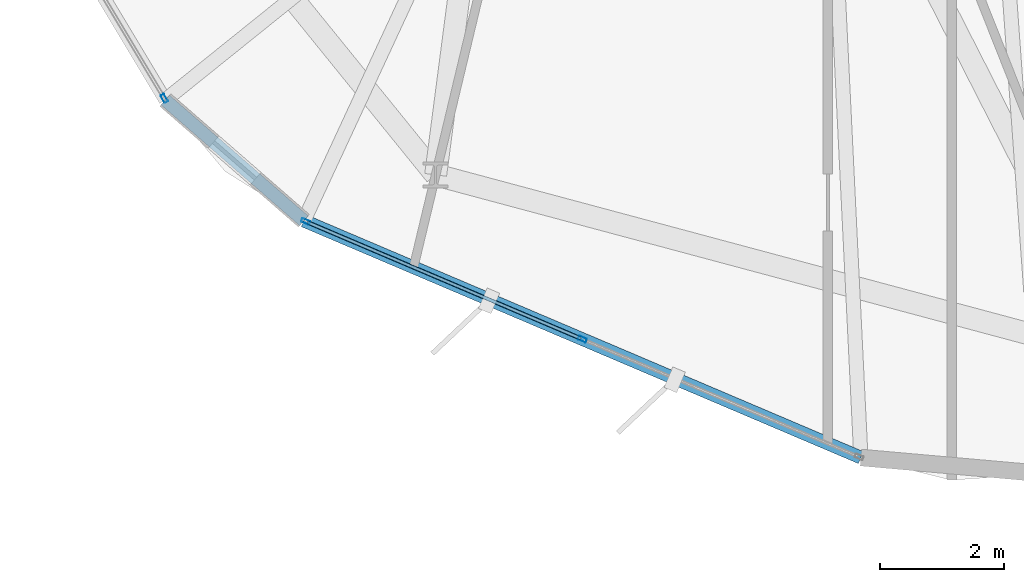
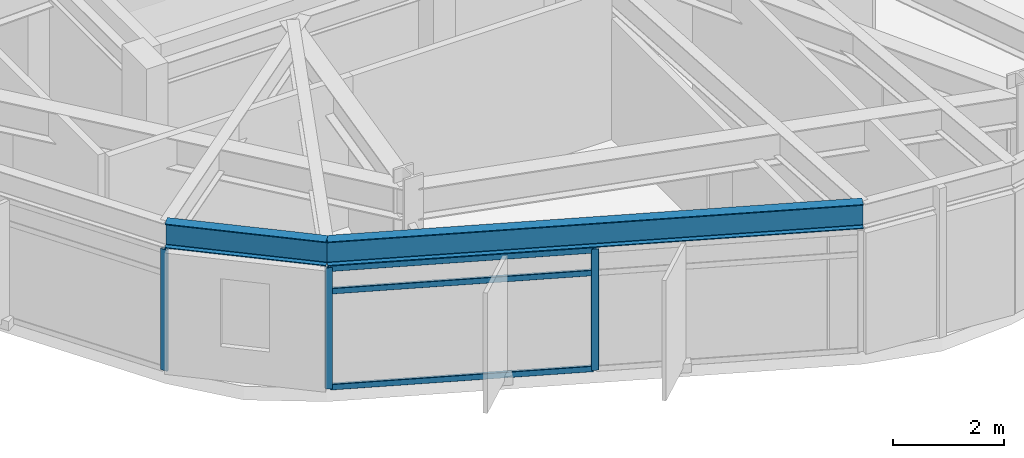
# One storey, part 2 of 27: 6 members, 2 beams, 2 elements without a shape of their own.
"""IFC4 building model written with IfcOpenShell, lengths in metres."""

import ifcopenshell
import ifcopenshell.guid

model = None  # the IFC model being written
_history = None  # IfcOwnerHistory: only IFC2X3 demands one
_inside = {}  # id of a spatial element -> (the spatial element, [elements in it])
_under = {}  # id of a project, library or spatial element -> (it, [spatial elements below it])
_declared = {}  # id of a project -> (the project, [libraries it declares])
_typed = {}  # id of a type object -> (the type object, [elements of that type])
_made_of = {}  # id of a material, layer set ... -> (it, [elements and type objects made of it])


def new_model(schema):
    """Start an empty IFC model of exactly this schema.

    Asked for "IFC4X3", IfcOpenShell would pick the latest addendum, in which some entities
    have other attributes; the version numbers below select the first issue.
    IFC2X3 requires an IfcOwnerHistory on every rooted entity: one is made here for all.
    """
    global model, _history
    if schema == "IFC4X3":
        model = ifcopenshell.file(schema_version=(4, 3, 0, 0))
    else:
        model = ifcopenshell.file(schema=schema)
    _inside.clear()
    _under.clear()
    _declared.clear()
    _typed.clear()
    _made_of.clear()
    _history = None
    if model.schema == "IFC2X3":
        org = make("IfcOrganization", Name="unknown")
        user = make(
            "IfcPersonAndOrganization",
            ThePerson=make("IfcPerson", FamilyName="unknown"),
            TheOrganization=org,
        )
        app = make(
            "IfcApplication",
            ApplicationDeveloper=org,
            Version="unknown",
            ApplicationFullName="unknown",
            ApplicationIdentifier="unknown",
        )
        _history = make(
            "IfcOwnerHistory",
            OwningUser=user,
            OwningApplication=app,
            ChangeAction="ADDED",
            CreationDate=0,
        )
    return model


def make(cls, **values):
    """One entity of the class cls with the attributes given. An attribute that is None is left unset."""
    return model.create_entity(
        cls, **{name: value for name, value in values.items() if value is not None}
    )


def rooted(cls, **values):
    """An entity with a GlobalId (a new one), such as an element, a storey or a relation."""
    return make(cls, GlobalId=ifcopenshell.guid.new(), OwnerHistory=_history, **values)


def si_unit(unit_type, name, prefix=None):
    """IfcSIUnit, for example si_unit("LENGTHUNIT", "METRE", prefix="MILLI")."""
    return make("IfcSIUnit", UnitType=unit_type, Prefix=prefix, Name=name)


def assignment(units):
    """IfcUnitAssignment: the units of a project."""
    return None if units is None else make("IfcUnitAssignment", Units=units)


def point(xyz):
    """IfcCartesianPoint."""
    return None if xyz is None else make("IfcCartesianPoint", Coordinates=xyz)


def direction(xyz):
    """IfcDirection."""
    return None if xyz is None else make("IfcDirection", DirectionRatios=xyz)


def frame(location, z_axis=None, x_axis=None):
    """IfcAxis2Placement3D, a coordinate frame: its origin and axes. An axis left out is left unset."""
    return make(
        "IfcAxis2Placement3D",
        Location=point(location),
        Axis=direction(z_axis),
        RefDirection=direction(x_axis),
    )


def frame_2d(location, x_axis=None):
    """IfcAxis2Placement2D, a coordinate frame in the plane: its origin and x axis."""
    return make(
        "IfcAxis2Placement2D", Location=point(location), RefDirection=direction(x_axis)
    )


def origin():
    """The frame at (0, 0, 0) with its axes left unset."""
    return frame((0.0, 0.0, 0.0))


def origin_2d():
    """The frame at (0, 0) in the plane with its x axis left unset."""
    return frame_2d((0.0, 0.0))


def place(relative_to, where):
    """IfcLocalPlacement: puts the frame where relative to a parent placement (None: the world)."""
    return make(
        "IfcLocalPlacement", PlacementRelTo=relative_to, RelativePlacement=where
    )


def context(
    kind, dimensions, precision=None, world=None, true_north=None, identifier=None
):
    """IfcGeometricRepresentationContext, for example the 3D "Model" context."""
    return make(
        "IfcGeometricRepresentationContext",
        ContextIdentifier=identifier,
        ContextType=kind,
        CoordinateSpaceDimension=dimensions,
        Precision=precision,
        WorldCoordinateSystem=world,
        TrueNorth=true_north,
    )


def subcontext(parent, identifier, kind, view, scale=None):
    """IfcGeometricRepresentationSubContext, for example "Body" below "Model"."""
    return make(
        "IfcGeometricRepresentationSubContext",
        ContextIdentifier=identifier,
        ContextType=kind,
        ParentContext=parent,
        TargetScale=scale,
        TargetView=view,
    )


def project(units=None, contexts=None):
    """IfcProject with its units and contexts."""
    return rooted(
        "IfcProject",
        Name="project",
        RepresentationContexts=contexts,
        UnitsInContext=assignment(units),
    )


def spatial(cls, under=None, at=None, **own):
    """A site, building, storey or space (cls), placed at a placement, below another one or the project."""
    s = rooted(cls, ObjectPlacement=at, **own)
    if under is not None:
        _under.setdefault(under.id(), (under, []))[1].append(s)
    return s


def profile(cls, at=None, kind="AREA", **sizes):
    """A parametric profile (cls). Its sizes go by their IFC names, for example OverallWidth=200.0."""
    return make(cls, ProfileType=kind, Position=at, **sizes)


def hollow_rectangle(**sizes):
    """IfcRectangleHollowProfileDef."""
    return profile("IfcRectangleHollowProfileDef", **sizes)


def i_section(**sizes):
    """IfcIShapeProfileDef."""
    return profile("IfcIShapeProfileDef", **sizes)


def extrude(swept, where, along, depth):
    """IfcExtrudedAreaSolid: the profile swept, set in the frame where, extruded along a direction by depth."""
    return make(
        "IfcExtrudedAreaSolid",
        SweptArea=swept,
        Position=where,
        ExtrudedDirection=direction(along),
        Depth=depth,
    )


def shape(context_of_items, identifier, shape_type, items):
    """IfcShapeRepresentation: the items that make up one representation, for example the "Body"."""
    return make(
        "IfcShapeRepresentation",
        ContextOfItems=context_of_items,
        RepresentationIdentifier=identifier,
        RepresentationType=shape_type,
        Items=items,
    )


def material(Name=None, Category=None):
    """IfcMaterial."""
    return make("IfcMaterial", Name=Name, Category=Category)


def layer(
    of_material, thickness, ventilated=None, Name=None, Category=None, Priority=None
):
    """IfcMaterialLayer: one layer of a wall or slab, of a material (None: an air gap)."""
    return make(
        "IfcMaterialLayer",
        Material=of_material,
        LayerThickness=thickness,
        IsVentilated=ventilated,
        Name=Name,
        Category=Category,
        Priority=Priority,
    )


def layer_set(layers, Name=None):
    """IfcMaterialLayerSet."""
    return make("IfcMaterialLayerSet", MaterialLayers=layers, LayerSetName=Name)


def material_profile(
    of_material, cross_section, Name=None, Category=None, Priority=None
):
    """IfcMaterialProfile: a cross section and its material."""
    return make(
        "IfcMaterialProfile",
        Name=Name,
        Material=of_material,
        Profile=cross_section,
        Priority=Priority,
        Category=Category,
    )


def profile_set(profiles, Name=None, composite=None):
    """IfcMaterialProfileSet."""
    return make(
        "IfcMaterialProfileSet",
        Name=Name,
        MaterialProfiles=profiles,
        CompositeProfile=composite,
    )


def made_of(thing, what):
    """Note that an element or type object is made of a material, layer set ...; save() writes the relation."""
    if what is not None:
        _made_of.setdefault(what.id(), (what, []))[1].append(thing)
    return thing


def type_object(cls, material=None, **own):
    """A type object (cls), such as IfcWallType, which elements share."""
    return made_of(rooted(cls, **own), material)


def element(
    cls,
    number,
    at=None,
    inside=None,
    cuts=None,
    type_object=None,
    material=None,
    context=None,
    identifier="Body",
    shape_type=None,
    held_by="IfcProductDefinitionShape",
    body=None,
    shapes=None,
    **own,
):
    """One element of the class cls, such as IfcWall. Its Tag is "e" and its number.

    at: its placement. inside: the storey or other place that contains it. cuts: it is an
    opening in that element (IfcRelVoidsElement). A single representation is given by context,
    identifier, shape_type and body (its items); several are given by shapes. held_by: the class
    of the entity that holds the representations. save() writes the other relations.
    """
    e = rooted(cls, Tag="e%d" % number, ObjectPlacement=at, **own)
    if body is not None:
        shapes = [shape(context, identifier, shape_type, body)]
    if shapes is not None:
        e.Representation = make(held_by, Representations=shapes)
    if inside is not None:
        _inside.setdefault(inside.id(), (inside, []))[1].append(e)
    if cuts is not None:
        rooted(
            "IfcRelVoidsElement", RelatingBuildingElement=cuts, RelatedOpeningElement=e
        )
    if type_object is not None:
        _typed.setdefault(type_object.id(), (type_object, []))[1].append(e)
    return made_of(e, material)


def aggregate(whole, parts):
    """IfcRelAggregates: a whole, such as a stair, and the parts it consists of."""
    return rooted("IfcRelAggregates", RelatingObject=whole, RelatedObjects=parts)


def save(model, path):
    """Write the relations noted so far, then the file.

    IfcRelAggregates (storeys below a building ...), IfcRelContainedInSpatialStructure (elements
    in a storey), IfcRelDefinesByType, IfcRelAssociatesMaterial and IfcRelDeclares: one each for
    every whole, place, type object, material and project.
    """
    for whole, parts in _under.values():
        aggregate(whole, parts)
    for where, things in _inside.values():
        rooted(
            "IfcRelContainedInSpatialStructure",
            RelatedElements=things,
            RelatingStructure=where,
        )
    for kind, things in _typed.values():
        rooted("IfcRelDefinesByType", RelatedObjects=things, RelatingType=kind)
    for what, things in _made_of.values():
        rooted("IfcRelAssociatesMaterial", RelatedObjects=things, RelatingMaterial=what)
    for by, libraries in _declared.values():
        rooted("IfcRelDeclares", RelatingContext=by, RelatedDefinitions=libraries)
    model.write(path)


model = new_model("IFC4")

# Units and contexts
model_context = context("Model", 3, precision=1e-05, world=origin(), true_north=direction((0.0, 1.0)))
body_context = subcontext(model_context, "Body", "Model", "MODEL_VIEW")
ifc_project = project(units=[si_unit("LENGTHUNIT", "METRE"), si_unit("AREAUNIT", "SQUARE_METRE"), si_unit("VOLUMEUNIT", "CUBIC_METRE"), si_unit("PLANEANGLEUNIT", "RADIAN"), si_unit("MASSUNIT", "GRAM", prefix="KILO")], contexts=[model_context])

# Site, building, storey
site_placement = place(None, origin())
site = spatial("IfcSite", under=ifc_project, at=site_placement, CompositionType="ELEMENT")
building_placement = place(site_placement, origin())
building = spatial("IfcBuilding", under=site, at=building_placement, Name="Soratama Intermodal Tower", CompositionType="ELEMENT")
storey_placement = place(building_placement, frame((0.0, 0.0, 212.199951171875)))
storey = spatial("IfcBuildingStorey", under=building, at=storey_placement, Name="L53", CompositionType="ELEMENT", Elevation=212.199951171875)

# Beams
ifc_material_1 = material(Name="Structural steel ASTM A992 Grade 50", Category="steel")
ifc_material_profile_1 = material_profile(ifc_material_1, i_section(OverallWidth=0.2099609375, OverallDepth=0.537109375, WebThickness=0.010986328125, FlangeThickness=0.017333984375, FilletRadius=0.012939453125, at=origin_2d()), Name="W21X68")
ifc_profile_set_1 = profile_set([ifc_material_profile_1], Name="Structural steel ASTM A992 Grade 50")
beam_type = type_object("IfcBeamType", Name="BM-SPN-W21X68", PredefinedType="SPANDREL", material=ifc_profile_set_1)
beam_1_placement = place(storey_placement, frame((30.506103515625, 10.60888671875, 3.031494140625), z_axis=(0.754114469812, -0.656742998759, 0.0), x_axis=(0.656742998759, 0.754114469812, 0.0)))
element("IfcBeam", 1, at=beam_1_placement, inside=storey, type_object=beam_type, Name="BS-L53-CRN05", PredefinedType="SPANDREL", context=body_context, shape_type="SweptSolid", body=[
    extrude(i_section(OverallWidth=0.2099609375, OverallDepth=0.537109375, WebThickness=0.010986328125, FlangeThickness=0.017333984375, FilletRadius=0.012939453125, at=origin_2d()), origin(), (0.0, 0.0, 1.0), 2.966064453125),
])
beam_2_placement = place(storey_placement, frame((32.742919921875, 8.660888671875, 3.031494140625), z_axis=(0.920247907124, -0.391335903584, 0.0), x_axis=(0.391335903584, 0.920247907124, 0.0)))
element("IfcBeam", 2, at=beam_2_placement, inside=storey, type_object=beam_type, Name="BS-L53-F06", PredefinedType="SPANDREL", context=body_context, shape_type="SweptSolid", body=[
    extrude(i_section(OverallWidth=0.2099609375, OverallDepth=0.537109375, WebThickness=0.010986328125, FlangeThickness=0.017333984375, FilletRadius=0.012939453125, at=origin_2d()), origin(), (0.0, 0.0, 1.0), 9.76904296875),
])

# Curtain wall, member
ifc_material_2 = material(Name="Double-glazed aluminium curtain wall", Category="aluminium")
ifc_layer = layer(ifc_material_2, 0.159912109375)
ifc_layer_set = layer_set([ifc_layer], Name="Double-glazed aluminium curtain wall")
curtain_wall_type = type_object("IfcCurtainWallType", Name="CW-SYS-5", PredefinedType="NOTDEFINED", material=ifc_layer_set)
curtain_wall_1_placement = place(storey_placement, origin())
curtain_wall_1 = element("IfcCurtainWall", 3, at=curtain_wall_1_placement, inside=storey, type_object=curtain_wall_type, Name="L53 Faceted Curtain Wall F05", PredefinedType="NOTDEFINED")
ifc_material_3 = material(Name="Anodised aluminium AA 6063-T6", Category="aluminium")
ifc_material_profile_2 = material_profile(ifc_material_3, hollow_rectangle(XDim=0.06494140625, YDim=0.139892578125, WallThickness=0.0048828125, InnerFilletRadius=0.0048828125, OuterFilletRadius=0.010009765625, at=origin_2d()), Name="CWM140X65X5")
ifc_profile_set_2 = profile_set([ifc_material_profile_2], Name="Anodised aluminium AA 6063-T6")
member_type_1 = type_object("IfcMemberType", Name="MT-CWM-5", PredefinedType="MULLION", material=ifc_profile_set_2)
member_1_placement = place(storey_placement, frame((30.490234375, 10.634521484375, 0.0), z_axis=(0.0, 0.0, 1.0), x_axis=(0.857527246406, 0.514438549948, 0.0)))
member_1 = element("IfcMember", 4, at=member_1_placement, type_object=member_type_1, Name="CW-5 mullion 3", PredefinedType="MULLION", context=body_context, shape_type="SweptSolid", body=[
    extrude(hollow_rectangle(XDim=0.06494140625, YDim=0.139892578125, WallThickness=0.0048828125, InnerFilletRadius=0.0048828125, OuterFilletRadius=0.010009765625, at=origin_2d()), origin(), (0.0, 0.0, 1.0), 2.678955078125),
])
aggregate(curtain_wall_1, [member_1])

# Curtain wall, members
curtain_wall_2_placement = place(storey_placement, origin())
curtain_wall_2 = element("IfcCurtainWall", 5, at=curtain_wall_2_placement, inside=storey, type_object=curtain_wall_type, Name="L53 Faceted Curtain Wall F06", PredefinedType="NOTDEFINED")
member_2_placement = place(storey_placement, frame((32.770751953125, 8.649169921875, 0.0), z_axis=(0.0, 0.0, 1.0), x_axis=(0.391376465221, 0.920230657211, 0.0)))
member_2 = element("IfcMember", 6, at=member_2_placement, type_object=member_type_1, Name="CW-5 mullion 1", PredefinedType="MULLION", context=body_context, shape_type="SweptSolid", body=[
    extrude(hollow_rectangle(XDim=0.06494140625, YDim=0.139892578125, WallThickness=0.0048828125, InnerFilletRadius=0.0048828125, OuterFilletRadius=0.010009765625, at=origin_2d()), origin(), (0.0, 0.0, 1.0), 2.678955078125),
])
member_3_placement = place(storey_placement, frame((37.238037109375, 6.749267578125, 0.0), z_axis=(0.0, 0.0, 1.0), x_axis=(0.391376465221, 0.920230657211, 0.0)))
member_3 = element("IfcMember", 7, at=member_3_placement, type_object=member_type_1, Name="CW-5 mullion 2", PredefinedType="MULLION", context=body_context, shape_type="SweptSolid", body=[
    extrude(hollow_rectangle(XDim=0.06494140625, YDim=0.139892578125, WallThickness=0.0048828125, InnerFilletRadius=0.0048828125, OuterFilletRadius=0.010009765625, at=origin_2d()), origin(), (0.0, 0.0, 1.0), 2.678955078125),
])
ifc_material_4 = material(Name="Anodised aluminium AA 6063-T6", Category="aluminium")
ifc_material_profile_3 = material_profile(ifc_material_4, hollow_rectangle(XDim=0.06005859375, YDim=0.1298828125, WallThickness=0.0048828125, InnerFilletRadius=0.0048828125, OuterFilletRadius=0.010009765625, at=origin_2d()), Name="CWT130X60X5")
ifc_profile_set_3 = profile_set([ifc_material_profile_3], Name="Anodised aluminium AA 6063-T6")
member_type_2 = type_object("IfcMemberType", Name="TT-CWT-2", PredefinedType="USERDEFINED", material=ifc_profile_set_3)
member_4_placement = place(storey_placement, frame((32.79833984375, 8.637451171875, 0.030029296875), z_axis=(0.920231905722, -0.391373529625, 0.0), x_axis=(0.391373529625, 0.920231905722, 0.0)))
member_4 = element("IfcMember", 8, at=member_4_placement, type_object=member_type_2, Name="CW-5 transom 1.1", ObjectType="TRANSOM", PredefinedType="USERDEFINED", context=body_context, shape_type="SweptSolid", body=[
    extrude(hollow_rectangle(XDim=0.06005859375, YDim=0.1298828125, WallThickness=0.0048828125, InnerFilletRadius=0.0048828125, OuterFilletRadius=0.010009765625, at=origin_2d()), origin(), (0.0, 0.0, 1.0), 4.794677734375),
])
member_5_placement = place(storey_placement, frame((32.79833984375, 8.637451171875, 2.150146484375), z_axis=(0.920231905722, -0.391373529625, 0.0), x_axis=(0.391373529625, 0.920231905722, 0.0)))
member_5 = element("IfcMember", 9, at=member_5_placement, type_object=member_type_2, Name="CW-5 transom 1.2", ObjectType="TRANSOM", PredefinedType="USERDEFINED", context=body_context, shape_type="SweptSolid", body=[
    extrude(hollow_rectangle(XDim=0.06005859375, YDim=0.1298828125, WallThickness=0.0048828125, InnerFilletRadius=0.0048828125, OuterFilletRadius=0.010009765625, at=origin_2d()), origin(), (0.0, 0.0, 1.0), 4.794677734375),
])
member_6_placement = place(storey_placement, frame((32.79833984375, 8.637451171875, 2.649169921875), z_axis=(0.920231905722, -0.391373529625, 0.0), x_axis=(0.391373529625, 0.920231905722, 0.0)))
member_6 = element("IfcMember", 10, at=member_6_placement, type_object=member_type_2, Name="CW-5 transom 1.3", ObjectType="TRANSOM", PredefinedType="USERDEFINED", context=body_context, shape_type="SweptSolid", body=[
    extrude(hollow_rectangle(XDim=0.06005859375, YDim=0.1298828125, WallThickness=0.0048828125, InnerFilletRadius=0.0048828125, OuterFilletRadius=0.010009765625, at=origin_2d()), origin(), (0.0, 0.0, 1.0), 4.794677734375),
])
aggregate(curtain_wall_2, [member_2, member_3, member_4, member_5, member_6])

save(model, "model.ifc")
